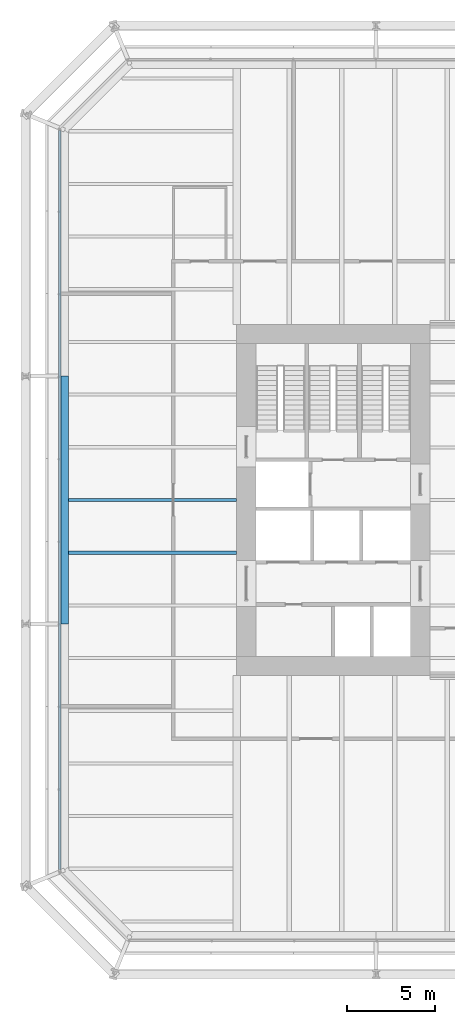
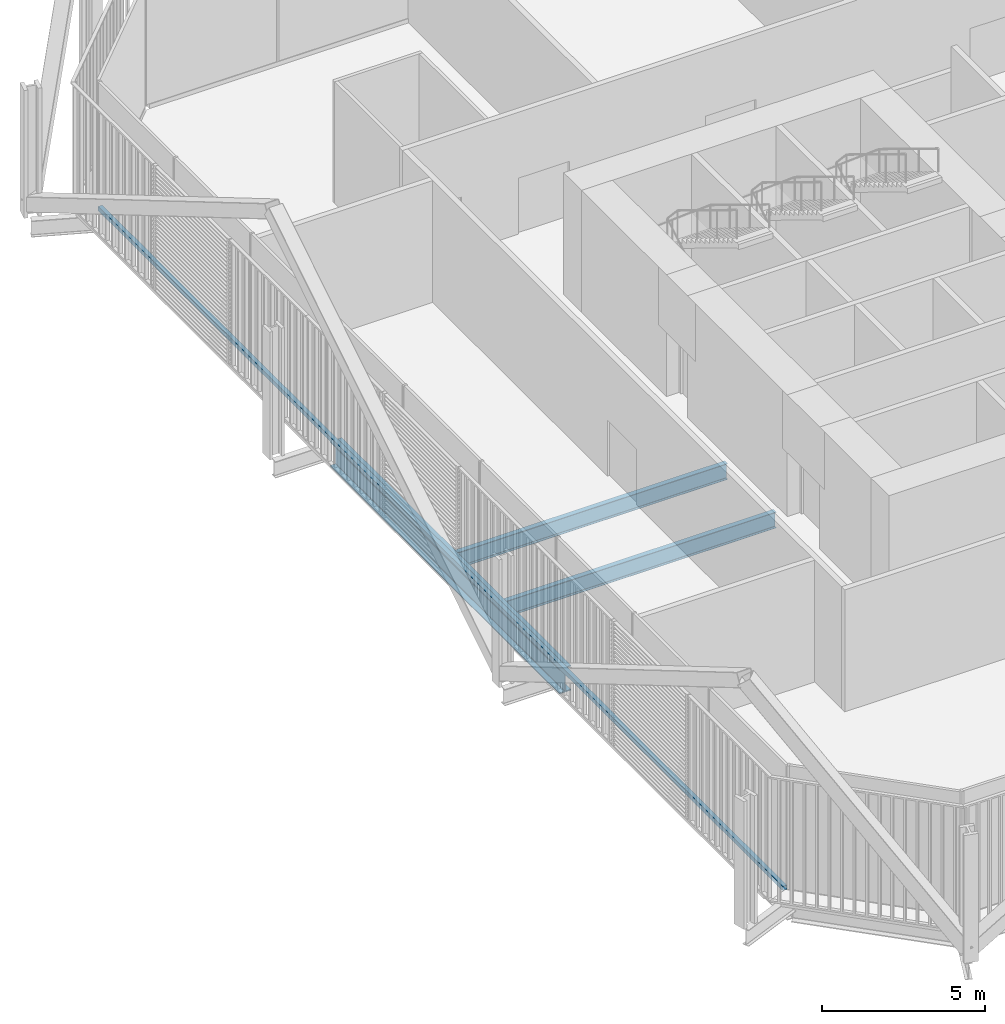
# One storey, part 6 of 22: 3 beams, 1 member, 1 element without a shape of its own.
"""IFC4 building model written with IfcOpenShell, lengths in metres."""

from ifc_helpers import new_model, si_unit, direction, frame, origin, origin_2d, place, context, subcontext, project, spatial, rectangle, i_section, extrude, material, layer, layer_set, material_profile, profile_set, type_object, element, aggregate, save


model = new_model("IFC4")

# Units and contexts
model_context = context("Model", 3, precision=1e-05, world=origin(), true_north=direction((0.0, 1.0)))
body_context = subcontext(model_context, "Body", "Model", "MODEL_VIEW")
ifc_project = project(units=[si_unit("LENGTHUNIT", "METRE"), si_unit("AREAUNIT", "SQUARE_METRE"), si_unit("VOLUMEUNIT", "CUBIC_METRE"), si_unit("PLANEANGLEUNIT", "RADIAN"), si_unit("MASSUNIT", "GRAM", prefix="KILO")], contexts=[model_context])

# Site, building, storey
site_placement = place(None, origin())
site = spatial("IfcSite", under=ifc_project, at=site_placement, CompositionType="ELEMENT")
building_placement = place(site_placement, origin())
building = spatial("IfcBuilding", under=site, at=building_placement, Name="Millrace Tower", CompositionType="ELEMENT")
storey_placement = place(building_placement, frame((0.0, 0.0, 44.89990234375)))
storey = spatial("IfcBuildingStorey", under=building, at=storey_placement, Name="L10", CompositionType="ELEMENT", Elevation=44.89990234375)

# Curtain wall, member
ifc_material_1 = material(Name="Aluminium and glass", Category="aluminium")
ifc_layer = layer(ifc_material_1, 0.14990234375)
ifc_layer_set = layer_set([ifc_layer], Name="Aluminium and glass")
curtain_wall_type = type_object("IfcCurtainWallType", Name="CW-2 data hall insulated curtain wall", PredefinedType="NOTDEFINED", material=ifc_layer_set)
curtain_wall_placement = place(storey_placement, origin())
curtain_wall = element("IfcCurtainWall", 1, at=curtain_wall_placement, inside=storey, type_object=curtain_wall_type, Name="Curtain wall A-F08 L10", PredefinedType="NOTDEFINED")
ifc_material_2 = material(Name="Aluminium", Category="aluminium")
ifc_material_profile_1 = material_profile(ifc_material_2, rectangle(XDim=0.14990234375, YDim=0.159912109375, at=origin_2d()))
ifc_profile_set_1 = profile_set([ifc_material_profile_1], Name="Aluminium")
member_type = type_object("IfcMemberType", Name="CW-2 data hall insulated curtain wall transom", PredefinedType="USERDEFINED", material=ifc_profile_set_1)
member_placement = place(storey_placement, frame((-25.074951171875, 21.050048828125, 0.080078125), z_axis=(0.0, -1.0, 0.0), x_axis=(1.0, 0.0, 0.0)))
member = element("IfcMember", 2, at=member_placement, type_object=member_type, Name="CW2 transom A-F08.1", ObjectType="TRANSOM", PredefinedType="USERDEFINED", context=body_context, shape_type="SweptSolid", body=[
    extrude(rectangle(XDim=0.14990234375, YDim=0.159912109375, at=origin_2d()), origin(), (0.0, 0.0, 1.0), 42.10009765625),
])
aggregate(curtain_wall, [member])

# Beams
ifc_material_3 = material(Name="Steel ASTM A992 Grade 50", Category="steel")
ifc_material_profile_2 = material_profile(ifc_material_3, i_section(OverallWidth=0.1787109375, OverallDepth=0.60205078125, WebThickness=0.010986328125, FlangeThickness=0.014892578125, FilletRadius=0.0126953125, at=origin_2d()))
ifc_profile_set_2 = profile_set([ifc_material_profile_2], Name="Steel ASTM A992 Grade 50")
beam_type_1 = type_object("IfcBeamType", Name="Floor beam W24x62", PredefinedType="JOIST", material=ifc_profile_set_2)
for number, where, z_axis, x_axis, name in (
    (3, (-24.578369140625, -3.0, -0.52587890625), (1.0, 0.0, 0.0), (0.0, 1.0, 0.0), "BM-A-L10-S1-S018"),
    (4, (-24.578369140625, 0.0, -0.52587890625), (1.0, 0.0, 0.0), (0.0, 1.0, 0.0), "BM-A-L10-S1-S021"),
):
    element("IfcBeam", number, at=place(storey_placement, frame(where, z_axis=z_axis, x_axis=x_axis)), inside=storey, type_object=beam_type_1, Name=name, PredefinedType="JOIST", context=body_context, shape_type="SweptSolid", body=[
        extrude(i_section(OverallWidth=0.1787109375, OverallDepth=0.60205078125, WebThickness=0.010986328125, FlangeThickness=0.014892578125, FilletRadius=0.0126953125, at=origin_2d()), origin(), (0.0, 0.0, 1.0), 9.578369140625),
    ])
ifc_material_4 = material(Name="Steel ASTM A992 Grade 50", Category="steel")
ifc_material_profile_3 = material_profile(ifc_material_4, i_section(OverallWidth=0.421630859375, OverallDepth=0.937255859375, WebThickness=0.021240234375, FlangeThickness=0.03662109375, FilletRadius=0.024169921875, at=origin_2d()))
ifc_profile_set_3 = profile_set([ifc_material_profile_3], Name="Steel ASTM A992 Grade 50")
beam_type_2 = type_object("IfcBeamType", Name="Ring beam medium span W36x262", PredefinedType="SPANDREL", material=ifc_profile_set_3)
beam_placement = place(storey_placement, frame((-24.7890625, -7.050048828125, -0.693603515625), z_axis=(0.0, 1.0, 0.0), x_axis=(-1.0, 0.0, 0.0)))
element("IfcBeam", 5, at=beam_placement, inside=storey, type_object=beam_type_2, Name="RNG-A-L10-S1-02", PredefinedType="SPANDREL", context=body_context, shape_type="SweptSolid", body=[
    extrude(i_section(OverallWidth=0.421630859375, OverallDepth=0.937255859375, WebThickness=0.021240234375, FlangeThickness=0.03662109375, FilletRadius=0.024169921875, at=origin_2d()), origin(), (0.0, 0.0, 1.0), 14.10009765625),
])

save(model, "model.ifc")
